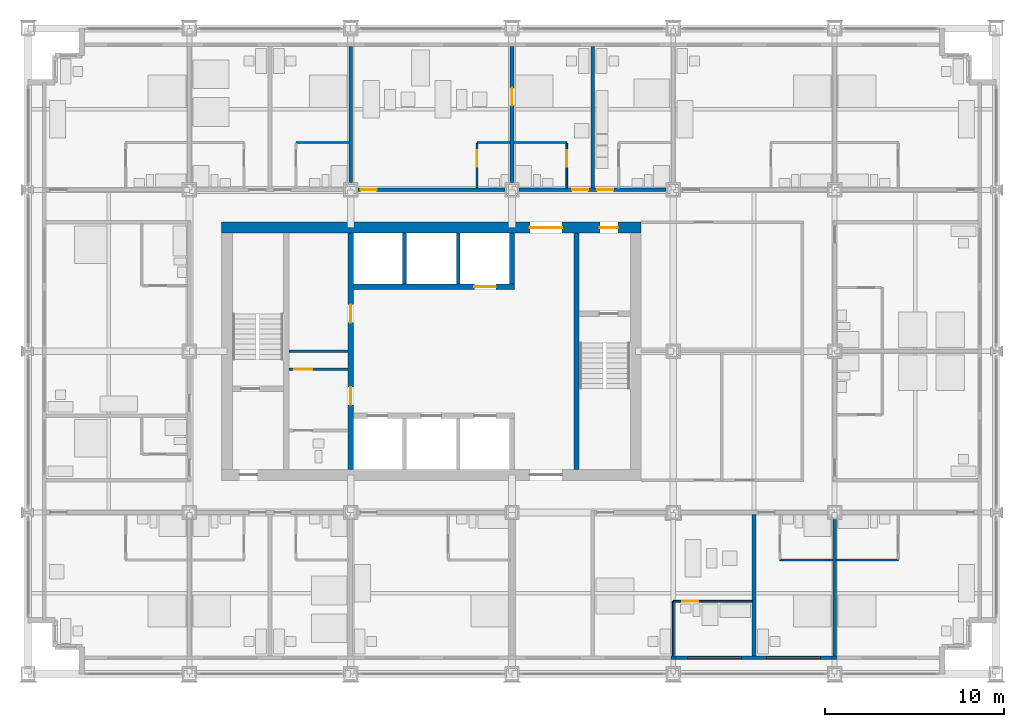
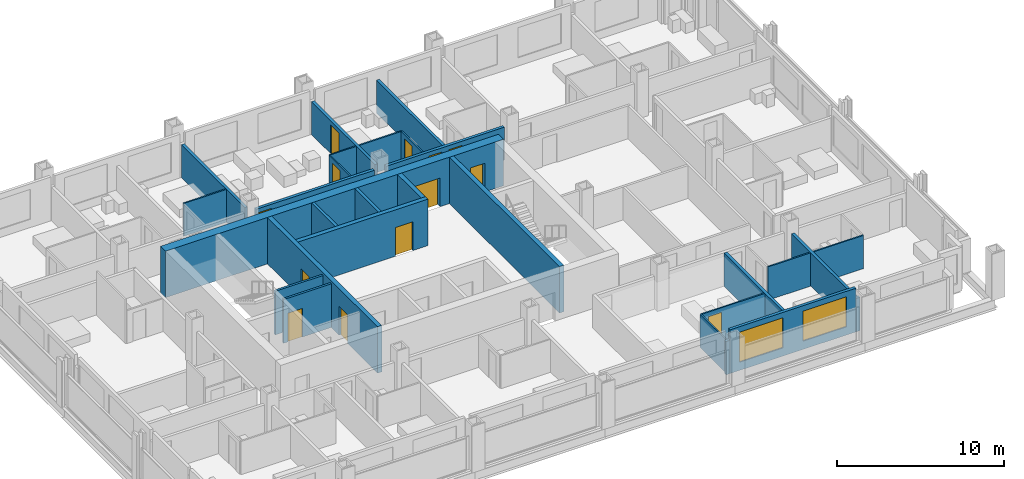
# One storey, part 12 of 18: 28 walls, 13 doors, 2 windows, 15 openings.
"""IFC4 building model written with IfcOpenShell, lengths in metres."""

from ifc_helpers import new_model, si_unit, direction, frame, frame_2d, origin, place, context, subcontext, project, spatial, rectangle, extrude, material, layer, layer_set, type_object, element, fill, save


model = new_model("IFC4")

# Units and contexts
model_context = context("Model", 3, precision=1e-05, world=origin(), true_north=direction((0.0, 1.0)))
body_context = subcontext(model_context, "Body", "Model", "MODEL_VIEW")
ifc_project = project(units=[si_unit("LENGTHUNIT", "METRE"), si_unit("AREAUNIT", "SQUARE_METRE"), si_unit("VOLUMEUNIT", "CUBIC_METRE"), si_unit("PLANEANGLEUNIT", "RADIAN"), si_unit("MASSUNIT", "GRAM", prefix="KILO")], contexts=[model_context])

# Site, building, storey
site_placement = place(None, origin())
site = spatial("IfcSite", under=ifc_project, at=site_placement, CompositionType="ELEMENT")
building_placement = place(site_placement, origin())
building = spatial("IfcBuilding", under=site, at=building_placement, Name="Loomwork Tower", CompositionType="ELEMENT")
storey_placement = place(building_placement, frame((0.0, 0.0, 38.199951171875)))
storey = spatial("IfcBuildingStorey", under=building, at=storey_placement, Name="L08", CompositionType="ELEMENT", Elevation=38.199951171875)

# Wall, openings, doors
ifc_material_1 = material(Name="Concrete 14000 psi (97 MPa)", Category="concrete")
ifc_layer_1 = layer(ifc_material_1, 0.300048828125)
ifc_layer_set_1 = layer_set([ifc_layer_1], Name="Core shear wall 300")
wall_type_1 = type_object("IfcWallType", Name="Core shear wall 300", PredefinedType="SHEAR", material=ifc_layer_set_1)
wall_1_placement = place(storey_placement, frame((18.0, 11.39990234375, 0.0), z_axis=(0.0, 0.0, 1.0), x_axis=(0.0, 1.0, 0.0)))
wall_1 = element("IfcWall", 1, at=wall_1_placement, inside=storey, type_object=wall_type_1, Name="Lobby west wall L08", PredefinedType="SHEAR", context=body_context, shape_type="SweptSolid", body=[
    extrude(rectangle(XDim=13.2001953125, YDim=0.300048828125, at=frame_2d((6.60009765625, 0.0))), origin(), (0.0, 0.0, 1.0), 3.400146484375),
])
opening_1_placement = place(wall_1_placement, frame((3.60009765625, 0.0, 0.0)))
opening_1 = element("IfcOpeningElement", 2, at=opening_1_placement, cuts=wall_1, Name="Opening D5", PredefinedType="OPENING", context=body_context, shape_type="SweptSolid", body=[
    extrude(rectangle(XDim=1.0, YDim=2.10009765625, at=frame_2d((0.5, 1.050048828125))), frame((0.0, 0.159912109375, 0.0), z_axis=(0.0, -1.0, 0.0), x_axis=(1.0, 0.0, 0.0)), (0.0, 0.0, 1.0), 0.320068359375),
])
opening_2_placement = place(wall_1_placement, frame((8.199951171875, 0.0, 0.0)))
opening_2 = element("IfcOpeningElement", 3, at=opening_2_placement, cuts=wall_1, Name="Opening D5", PredefinedType="OPENING", context=body_context, shape_type="SweptSolid", body=[
    extrude(rectangle(XDim=1.0, YDim=2.10009765625, at=frame_2d((0.5, 1.050048828125))), frame((0.0, 0.159912109375, 0.0), z_axis=(0.0, -1.0, 0.0), x_axis=(1.0, 0.0, 0.0)), (0.0, 0.0, 1.0), 0.320068359375),
])
ifc_material_2 = material(Name="Hollow metal door and frame")
door_type_1 = type_object("IfcDoorType", Name="Service door 1000", OperationType="SINGLE_SWING_LEFT", PredefinedType="DOOR", material=ifc_material_2)
door_1_placement = place(opening_1_placement, origin())
door_1 = element("IfcDoor", 4, at=door_1_placement, inside=storey, type_object=door_type_1, Name="Back-of-house door south", OperationType="SINGLE_SWING_LEFT", OverallHeight=2.10009765625, OverallWidth=1.0, PredefinedType="DOOR", context=body_context, shape_type="SweptSolid", body=[
    extrude(rectangle(XDim=1.0, YDim=2.10009765625, at=frame_2d((0.5, 1.050048828125))), frame((0.0, 0.02490234375, 0.0), z_axis=(0.0, -1.0, 0.0), x_axis=(1.0, 0.0, 0.0)), (0.0, 0.0, 1.0), 0.050048828125),
])
fill(opening_1, door_1)
door_2_placement = place(opening_2_placement, origin())
door_2 = element("IfcDoor", 5, at=door_2_placement, inside=storey, type_object=door_type_1, Name="Back-of-house door north", OperationType="SINGLE_SWING_RIGHT", OverallHeight=2.10009765625, OverallWidth=1.0, PredefinedType="DOOR", context=body_context, shape_type="SweptSolid", body=[
    extrude(rectangle(XDim=1.0, YDim=2.10009765625, at=frame_2d((0.5, 1.050048828125))), frame((0.0, 0.02490234375, 0.0), z_axis=(0.0, -1.0, 0.0), x_axis=(1.0, 0.0, 0.0)), (0.0, 0.0, 1.0), 0.050048828125),
])
fill(opening_2, door_2)

# Wall, opening, door
wall_2_placement = place(storey_placement, frame((18.14990234375, 21.60009765625, 0.0), z_axis=(0.0, 0.0, 1.0), x_axis=(1.0, 0.0, 0.0)))
wall_2 = element("IfcWall", 6, at=wall_2_placement, inside=storey, type_object=wall_type_1, Name="Lift front wall north L08", PredefinedType="SHEAR", context=body_context, shape_type="SweptSolid", body=[
    extrude(rectangle(XDim=9.0, YDim=0.300048828125, at=frame_2d((4.5, 0.0))), origin(), (0.0, 0.0, 1.0), 3.400146484375),
])
opening_3_placement = place(wall_2_placement, frame((6.75, 0.0, 0.0)))
opening_3 = element("IfcOpeningElement", 7, at=opening_3_placement, cuts=wall_2, Name="Opening LD2", PredefinedType="OPENING", context=body_context, shape_type="SweptSolid", body=[
    extrude(rectangle(XDim=1.199951171875, YDim=2.10009765625, at=frame_2d((0.60009765625, 1.050048828125))), frame((0.0, 0.159912109375, 0.0), z_axis=(0.0, -1.0, 0.0), x_axis=(1.0, 0.0, 0.0)), (0.0, 0.0, 1.0), 0.320068359375),
])
ifc_material_3 = material(Name="Hollow metal door and frame")
door_type_2 = type_object("IfcDoorType", Name="Lift landing door 1200", OperationType="SLIDING_TO_LEFT", PredefinedType="DOOR", material=ifc_material_3)
door_3_placement = place(opening_3_placement, origin())
door_3 = element("IfcDoor", 8, at=door_3_placement, inside=storey, type_object=door_type_2, Name="Lift landing door LF2", OperationType="SLIDING_TO_LEFT", OverallHeight=2.10009765625, OverallWidth=1.199951171875, PredefinedType="DOOR", context=body_context, shape_type="SweptSolid", body=[
    extrude(rectangle(XDim=1.199951171875, YDim=2.10009765625, at=frame_2d((0.60009765625, 1.050048828125))), frame((0.0, 0.02490234375, 0.0), z_axis=(0.0, -1.0, 0.0), x_axis=(1.0, 0.0, 0.0)), (0.0, 0.0, 1.0), 0.050048828125),
])
fill(opening_3, door_3)

# Walls
wall_3_placement = place(storey_placement, frame((27.0, 21.75, 0.0), z_axis=(0.0, 0.0, 1.0), x_axis=(0.0, 1.0, 0.0)))
element("IfcWall", 9, at=wall_3_placement, inside=storey, type_object=wall_type_1, Name="Lift shaft end wall north L08", PredefinedType="SHEAR", context=body_context, shape_type="SweptSolid", body=[
    extrude(rectangle(XDim=2.85009765625, YDim=0.300048828125, at=frame_2d((1.425048828125, 0.0))), origin(), (0.0, 0.0, 1.0), 3.400146484375),
])
wall_4_placement = place(storey_placement, frame((30.60009765625, 11.39990234375, 0.0), z_axis=(0.0, 0.0, 1.0), x_axis=(0.0, 1.0, 0.0)))
element("IfcWall", 10, at=wall_4_placement, inside=storey, type_object=wall_type_1, Name="Stair B west wall L08", PredefinedType="SHEAR", context=body_context, shape_type="SweptSolid", body=[
    extrude(rectangle(XDim=13.2001953125, YDim=0.300048828125, at=frame_2d((6.60009765625, 0.0))), origin(), (0.0, 0.0, 1.0), 3.400146484375),
])

# Wall, openings, doors
ifc_material_4 = material(Name="Concrete 14000 psi (97 MPa)", Category="concrete")
ifc_layer_2 = layer(ifc_material_4, 0.60009765625)
ifc_layer_set_2 = layer_set([ifc_layer_2], Name="Core shear wall 600")
wall_type_2 = type_object("IfcWallType", Name="Core shear wall 600", PredefinedType="SHEAR", material=ifc_layer_set_2)
wall_5_placement = place(storey_placement, frame((10.800048828125, 24.89990234375, 0.0), z_axis=(0.0, 0.0, 1.0), x_axis=(1.0, 0.0, 0.0)))
wall_5 = element("IfcWall", 11, at=wall_5_placement, inside=storey, type_object=wall_type_2, Name="Core wall north L08", PredefinedType="SHEAR", context=body_context, shape_type="SweptSolid", body=[
    extrude(rectangle(XDim=23.39990234375, YDim=0.60009765625, at=frame_2d((11.699951171875, 0.0))), origin(), (0.0, 0.0, 1.0), 3.400146484375),
])
opening_4_placement = place(wall_5_placement, frame((17.199951171875, 0.0, 0.0)))
opening_4 = element("IfcOpeningElement", 12, at=opening_4_placement, cuts=wall_5, Name="Opening D6", PredefinedType="OPENING", context=body_context, shape_type="SweptSolid", body=[
    extrude(rectangle(XDim=1.800048828125, YDim=2.10009765625, at=frame_2d((0.89990234375, 1.050048828125))), frame((0.0, 0.31005859375, 0.0), z_axis=(0.0, -1.0, 0.0), x_axis=(1.0, 0.0, 0.0)), (0.0, 0.0, 1.0), 0.6201171875),
])
opening_5_placement = place(wall_5_placement, frame((21.10009765625, 0.0, 0.0)))
opening_5 = element("IfcOpeningElement", 13, at=opening_5_placement, cuts=wall_5, Name="Opening D4", PredefinedType="OPENING", context=body_context, shape_type="SweptSolid", body=[
    extrude(rectangle(XDim=1.0, YDim=2.10009765625, at=frame_2d((0.5, 1.050048828125))), frame((0.0, 0.31005859375, 0.0), z_axis=(0.0, -1.0, 0.0), x_axis=(1.0, 0.0, 0.0)), (0.0, 0.0, 1.0), 0.6201171875),
])
ifc_material_5 = material(Name="Hollow metal door and frame")
door_type_3 = type_object("IfcDoorType", Name="Lobby passage double door 1800", OperationType="DOUBLE_DOOR_SINGLE_SWING", PredefinedType="DOOR", material=ifc_material_5)
door_4_placement = place(opening_4_placement, frame((1.800048828125, 0.0, 0.0), z_axis=(0.0, 0.0, 1.0), x_axis=(-1.0, 0.0, 0.0)))
door_4 = element("IfcDoor", 14, at=door_4_placement, inside=storey, type_object=door_type_3, Name="Lobby passage door north", OperationType="DOUBLE_DOOR_SINGLE_SWING", OverallHeight=2.10009765625, OverallWidth=1.800048828125, PredefinedType="DOOR", context=body_context, shape_type="SweptSolid", body=[
    extrude(rectangle(XDim=1.800048828125, YDim=2.10009765625, at=frame_2d((0.89990234375, 1.050048828125))), frame((0.0, 0.02490234375, 0.0), z_axis=(0.0, -1.0, 0.0), x_axis=(1.0, 0.0, 0.0)), (0.0, 0.0, 1.0), 0.050048828125),
])
fill(opening_4, door_4)
ifc_material_6 = material(Name="Hollow metal door and frame")
door_type_4 = type_object("IfcDoorType", Name="Stair door 1000", OperationType="SINGLE_SWING_RIGHT", PredefinedType="DOOR", material=ifc_material_6)
door_5_placement = place(opening_5_placement, frame((1.0, 0.0, 0.0), z_axis=(0.0, 0.0, 1.0), x_axis=(-1.0, 0.0, 0.0)))
door_5 = element("IfcDoor", 15, at=door_5_placement, inside=storey, type_object=door_type_4, Name="Stair B vestibule door", OperationType="SINGLE_SWING_LEFT", OverallHeight=2.10009765625, OverallWidth=1.0, PredefinedType="DOOR", context=body_context, shape_type="SweptSolid", body=[
    extrude(rectangle(XDim=1.0, YDim=2.10009765625, at=frame_2d((0.5, 1.050048828125))), frame((0.0, 0.02490234375, 0.0), z_axis=(0.0, -1.0, 0.0), x_axis=(1.0, 0.0, 0.0)), (0.0, 0.0, 1.0), 0.050048828125),
])
fill(opening_5, door_5)

# Wall, opening, door
ifc_material_7 = material(Name="Gypsum board on steel studs, one-hour", Category="steel")
ifc_layer_3 = layer(ifc_material_7, 0.199951171875)
ifc_layer_set_3 = layer_set([ifc_layer_3], Name="Corridor wall 200")
wall_type_3 = type_object("IfcWallType", Name="Corridor wall 200", PredefinedType="PARTITIONING", material=ifc_layer_set_3)
wall_6_placement = place(storey_placement, frame((18.39990234375, 27.0, 0.0), z_axis=(0.0, 0.0, 1.0), x_axis=(1.0, 0.0, 0.0)))
wall_6 = element("IfcWall", 16, at=wall_6_placement, inside=storey, type_object=wall_type_3, Name="North corridor wall 3", PredefinedType="PARTITIONING", context=body_context, shape_type="SweptSolid", body=[
    extrude(rectangle(XDim=8.2001953125, YDim=0.199951171875, at=frame_2d((4.10009765625, 0.0))), origin(), (0.0, 0.0, 1.0), 2.405029296875),
])
opening_6_placement = place(wall_6_placement, frame((0.14990234375, 0.0, 0.0)))
opening_6 = element("IfcOpeningElement", 17, at=opening_6_placement, cuts=wall_6, Name="Opening D1", PredefinedType="OPENING", context=body_context, shape_type="SweptSolid", body=[
    extrude(rectangle(XDim=0.89990234375, YDim=2.10009765625, at=frame_2d((0.449951171875, 1.050048828125))), frame((0.0, 0.10986328125, 0.0), z_axis=(0.0, -1.0, 0.0), x_axis=(1.0, 0.0, 0.0)), (0.0, 0.0, 1.0), 0.219970703125),
])
ifc_material_8 = material(Name="Hollow metal door and frame")
door_type_5 = type_object("IfcDoorType", Name="Guest room entry door 900", OperationType="SINGLE_SWING_LEFT", PredefinedType="DOOR", material=ifc_material_8)
door_6_placement = place(opening_6_placement, origin())
door_6 = element("IfcDoor", 18, at=door_6_placement, inside=storey, type_object=door_type_5, Name="Guest room entry door L08 11", OperationType="SINGLE_SWING_LEFT", OverallHeight=2.10009765625, OverallWidth=0.89990234375, PredefinedType="DOOR", context=body_context, shape_type="SweptSolid", body=[
    extrude(rectangle(XDim=0.89990234375, YDim=2.10009765625, at=frame_2d((0.449951171875, 1.050048828125))), frame((0.0, 0.02490234375, 0.0), z_axis=(0.0, -1.0, 0.0), x_axis=(1.0, 0.0, 0.0)), (0.0, 0.0, 1.0), 0.050048828125),
])
fill(opening_6, door_6)

# Wall, openings, doors
wall_7_placement = place(storey_placement, frame((27.39990234375, 27.0, 0.0), z_axis=(0.0, 0.0, 1.0), x_axis=(1.0, 0.0, 0.0)))
wall_7 = element("IfcWall", 19, at=wall_7_placement, inside=storey, type_object=wall_type_3, Name="North corridor wall 4", PredefinedType="PARTITIONING", context=body_context, shape_type="SweptSolid", body=[
    extrude(rectangle(XDim=8.2001953125, YDim=0.199951171875, at=frame_2d((4.10009765625, 0.0))), origin(), (0.0, 0.0, 1.0), 2.405029296875),
])
opening_7_placement = place(wall_7_placement, frame((2.949951171875, 0.0, 0.0)))
opening_7 = element("IfcOpeningElement", 20, at=opening_7_placement, cuts=wall_7, Name="Opening D1", PredefinedType="OPENING", context=body_context, shape_type="SweptSolid", body=[
    extrude(rectangle(XDim=0.89990234375, YDim=2.10009765625, at=frame_2d((0.449951171875, 1.050048828125))), frame((0.0, 0.10986328125, 0.0), z_axis=(0.0, -1.0, 0.0), x_axis=(1.0, 0.0, 0.0)), (0.0, 0.0, 1.0), 0.219970703125),
])
opening_8_placement = place(wall_7_placement, frame((4.35009765625, 0.0, 0.0)))
opening_8 = element("IfcOpeningElement", 21, at=opening_8_placement, cuts=wall_7, Name="Opening D1", PredefinedType="OPENING", context=body_context, shape_type="SweptSolid", body=[
    extrude(rectangle(XDim=0.89990234375, YDim=2.10009765625, at=frame_2d((0.449951171875, 1.050048828125))), frame((0.0, 0.10986328125, 0.0), z_axis=(0.0, -1.0, 0.0), x_axis=(1.0, 0.0, 0.0)), (0.0, 0.0, 1.0), 0.219970703125),
])
door_7_placement = place(opening_7_placement, origin())
door_7 = element("IfcDoor", 22, at=door_7_placement, inside=storey, type_object=door_type_5, Name="Guest room entry door L08 12", OperationType="SINGLE_SWING_RIGHT", OverallHeight=2.10009765625, OverallWidth=0.89990234375, PredefinedType="DOOR", context=body_context, shape_type="SweptSolid", body=[
    extrude(rectangle(XDim=0.89990234375, YDim=2.10009765625, at=frame_2d((0.449951171875, 1.050048828125))), frame((0.0, 0.02490234375, 0.0), z_axis=(0.0, -1.0, 0.0), x_axis=(1.0, 0.0, 0.0)), (0.0, 0.0, 1.0), 0.050048828125),
])
fill(opening_7, door_7)
door_8_placement = place(opening_8_placement, origin())
door_8 = element("IfcDoor", 23, at=door_8_placement, inside=storey, type_object=door_type_5, Name="Guest room entry door L08 13", OperationType="SINGLE_SWING_LEFT", OverallHeight=2.10009765625, OverallWidth=0.89990234375, PredefinedType="DOOR", context=body_context, shape_type="SweptSolid", body=[
    extrude(rectangle(XDim=0.89990234375, YDim=2.10009765625, at=frame_2d((0.449951171875, 1.050048828125))), frame((0.0, 0.02490234375, 0.0), z_axis=(0.0, -1.0, 0.0), x_axis=(1.0, 0.0, 0.0)), (0.0, 0.0, 1.0), 0.050048828125),
])
fill(opening_8, door_8)

# Wall, opening, door
ifc_material_9 = material(Name="Cement board on steel studs", Category="steel")
ifc_layer_4 = layer(ifc_material_9, 0.10009765625)
ifc_layer_set_4 = layer_set([ifc_layer_4], Name="En-suite partition 100")
wall_type_4 = type_object("IfcWallType", Name="En-suite partition 100", PredefinedType="PARTITIONING", material=ifc_layer_set_4)
wall_8_placement = place(storey_placement, frame((36.0, 4.050048828125, 0.0), z_axis=(0.0, 0.0, 1.0), x_axis=(1.0, 0.0, 0.0)))
wall_8 = element("IfcWall", 24, at=wall_8_placement, inside=storey, type_object=wall_type_4, Name="Spa bathroom wall L08 room 5", PredefinedType="PARTITIONING", context=body_context, shape_type="SweptSolid", body=[
    extrude(rectangle(XDim=4.39990234375, YDim=0.10009765625, at=frame_2d((2.199951171875, 0.0))), origin(), (0.0, 0.0, 1.0), 2.43798828125),
])
opening_9_placement = place(wall_8_placement, frame((0.5, 0.0, 0.0)))
opening_9 = element("IfcOpeningElement", 25, at=opening_9_placement, cuts=wall_8, Name="Opening D2", PredefinedType="OPENING", context=body_context, shape_type="SweptSolid", body=[
    extrude(rectangle(XDim=0.89990234375, YDim=2.10009765625, at=frame_2d((0.449951171875, 1.050048828125))), frame((0.0, 0.06005859375, 0.0), z_axis=(0.0, -1.0, 0.0), x_axis=(1.0, 0.0, 0.0)), (0.0, 0.0, 1.0), 0.1201171875),
])
ifc_material_10 = material(Name="Hollow metal door and frame")
door_type_6 = type_object("IfcDoorType", Name="En-suite door 900", OperationType="SINGLE_SWING_LEFT", PredefinedType="DOOR", material=ifc_material_10)
door_9_placement = place(opening_9_placement, frame((0.89990234375, 0.0, 0.0), z_axis=(0.0, 0.0, 1.0), x_axis=(-1.0, 0.0, 0.0)))
door_9 = element("IfcDoor", 26, at=door_9_placement, inside=storey, type_object=door_type_6, Name="Spa bathroom door room 5", OperationType="SINGLE_SWING_RIGHT", OverallHeight=2.10009765625, OverallWidth=0.89990234375, PredefinedType="DOOR", context=body_context, shape_type="SweptSolid", body=[
    extrude(rectangle(XDim=0.89990234375, YDim=2.10009765625, at=frame_2d((0.449951171875, 1.050048828125))), frame((0.0, 0.02490234375, 0.0), z_axis=(0.0, -1.0, 0.0), x_axis=(1.0, 0.0, 0.0)), (0.0, 0.0, 1.0), 0.050048828125),
])
fill(opening_9, door_9)

# Walls
wall_9_placement = place(storey_placement, frame((36.0, 4.050048828125, 0.0), z_axis=(0.0, 0.0, 1.0), x_axis=(0.0, -1.0, 0.0)))
element("IfcWall", 27, at=wall_9_placement, inside=storey, type_object=wall_type_4, Name="Spa bathroom side wall L08 room 5", PredefinedType="PARTITIONING", context=body_context, shape_type="SweptSolid", body=[
    extrude(rectangle(XDim=3.050048828125, YDim=0.10009765625, at=frame_2d((1.52490234375, 0.0))), origin(), (0.0, 0.0, 1.0), 2.43798828125),
])
wall_10_placement = place(storey_placement, frame((41.949951171875, 6.35009765625, 0.0), z_axis=(0.0, 0.0, 1.0), x_axis=(1.0, 0.0, 0.0)))
element("IfcWall", 28, at=wall_10_placement, inside=storey, type_object=wall_type_4, Name="En-suite wall L08 room 6", PredefinedType="PARTITIONING", context=body_context, shape_type="SweptSolid", body=[
    extrude(rectangle(XDim=2.949951171875, YDim=0.10009765625, at=frame_2d((1.47509765625, 0.0))), origin(), (0.0, 0.0, 1.0), 2.43798828125),
])
wall_11_placement = place(storey_placement, frame((45.10009765625, 6.35009765625, 0.0), z_axis=(0.0, 0.0, 1.0), x_axis=(1.0, 0.0, 0.0)))
element("IfcWall", 29, at=wall_11_placement, inside=storey, type_object=wall_type_4, Name="En-suite wall L08 room 7", PredefinedType="PARTITIONING", context=body_context, shape_type="SweptSolid", body=[
    extrude(rectangle(XDim=3.449951171875, YDim=0.10009765625, at=frame_2d((1.72509765625, 0.0))), origin(), (0.0, 0.0, 1.0), 2.43798828125),
])
wall_12_placement = place(storey_placement, frame((14.949951171875, 29.64990234375, 0.0), z_axis=(0.0, 0.0, 1.0), x_axis=(1.0, 0.0, 0.0)))
element("IfcWall", 30, at=wall_12_placement, inside=storey, type_object=wall_type_4, Name="En-suite wall L08 room 10", PredefinedType="PARTITIONING", context=body_context, shape_type="SweptSolid", body=[
    extrude(rectangle(XDim=2.949951171875, YDim=0.10009765625, at=frame_2d((1.47509765625, 0.0))), origin(), (0.0, 0.0, 1.0), 2.404052734375),
])
wall_13_placement = place(storey_placement, frame((25.050048828125, 29.64990234375, 0.0), z_axis=(0.0, 0.0, 1.0), x_axis=(1.0, 0.0, 0.0)))
element("IfcWall", 31, at=wall_13_placement, inside=storey, type_object=wall_type_4, Name="En-suite wall L08 room 11", PredefinedType="PARTITIONING", context=body_context, shape_type="SweptSolid", body=[
    extrude(rectangle(XDim=1.849853515625, YDim=0.10009765625, at=frame_2d((0.9248046875, 0.0))), origin(), (0.0, 0.0, 1.0), 2.404052734375),
])

# Wall, opening, door
wall_14_placement = place(storey_placement, frame((25.050048828125, 27.10009765625, 0.0), z_axis=(0.0, 0.0, 1.0), x_axis=(0.0, 1.0, 0.0)))
wall_14 = element("IfcWall", 32, at=wall_14_placement, inside=storey, type_object=wall_type_4, Name="En-suite side wall L08 room 11", PredefinedType="PARTITIONING", context=body_context, shape_type="SweptSolid", body=[
    extrude(rectangle(XDim=2.5, YDim=0.10009765625, at=frame_2d((1.25, 0.0))), origin(), (0.0, 0.0, 1.0), 2.404052734375),
])
opening_10_placement = place(wall_14_placement, frame((1.199951171875, 0.0, 0.0)))
opening_10 = element("IfcOpeningElement", 33, at=opening_10_placement, cuts=wall_14, Name="Opening D2", PredefinedType="OPENING", context=body_context, shape_type="SweptSolid", body=[
    extrude(rectangle(XDim=0.89990234375, YDim=2.10009765625, at=frame_2d((0.449951171875, 1.050048828125))), frame((0.0, 0.06005859375, 0.0), z_axis=(0.0, -1.0, 0.0), x_axis=(1.0, 0.0, 0.0)), (0.0, 0.0, 1.0), 0.1201171875),
])
door_10_placement = place(opening_10_placement, frame((0.89990234375, 0.0, 0.0), z_axis=(0.0, 0.0, 1.0), x_axis=(-1.0, 0.0, 0.0)))
door_10 = element("IfcDoor", 34, at=door_10_placement, inside=storey, type_object=door_type_6, Name="Suite powder room door room 11", OperationType="SINGLE_SWING_LEFT", OverallHeight=2.10009765625, OverallWidth=0.89990234375, PredefinedType="DOOR", context=body_context, shape_type="SweptSolid", body=[
    extrude(rectangle(XDim=0.89990234375, YDim=2.10009765625, at=frame_2d((0.449951171875, 1.050048828125))), frame((0.0, 0.02490234375, 0.0), z_axis=(0.0, -1.0, 0.0), x_axis=(1.0, 0.0, 0.0)), (0.0, 0.0, 1.0), 0.050048828125),
])
fill(opening_10, door_10)

# Wall
wall_15_placement = place(storey_placement, frame((27.10009765625, 29.64990234375, 0.0), z_axis=(0.0, 0.0, 1.0), x_axis=(1.0, 0.0, 0.0)))
element("IfcWall", 35, at=wall_15_placement, inside=storey, type_object=wall_type_4, Name="En-suite wall L08 room 12", PredefinedType="PARTITIONING", context=body_context, shape_type="SweptSolid", body=[
    extrude(rectangle(XDim=2.949951171875, YDim=0.10009765625, at=frame_2d((1.47509765625, 0.0))), origin(), (0.0, 0.0, 1.0), 2.404052734375),
])

# Wall, opening, door
wall_16_placement = place(storey_placement, frame((30.050048828125, 27.10009765625, 0.0), z_axis=(0.0, 0.0, 1.0), x_axis=(0.0, 1.0, 0.0)))
wall_16 = element("IfcWall", 36, at=wall_16_placement, inside=storey, type_object=wall_type_4, Name="En-suite side wall L08 room 12", PredefinedType="PARTITIONING", context=body_context, shape_type="SweptSolid", body=[
    extrude(rectangle(XDim=2.5, YDim=0.10009765625, at=frame_2d((1.25, 0.0))), origin(), (0.0, 0.0, 1.0), 2.404052734375),
])
opening_11_placement = place(wall_16_placement, frame((1.199951171875, 0.0, 0.0)))
opening_11 = element("IfcOpeningElement", 37, at=opening_11_placement, cuts=wall_16, Name="Opening D2", PredefinedType="OPENING", context=body_context, shape_type="SweptSolid", body=[
    extrude(rectangle(XDim=0.89990234375, YDim=2.10009765625, at=frame_2d((0.449951171875, 1.050048828125))), frame((0.0, 0.06005859375, 0.0), z_axis=(0.0, -1.0, 0.0), x_axis=(1.0, 0.0, 0.0)), (0.0, 0.0, 1.0), 0.1201171875),
])
door_11_placement = place(opening_11_placement, origin())
door_11 = element("IfcDoor", 38, at=door_11_placement, inside=storey, type_object=door_type_6, Name="En-suite door room 12", OperationType="SINGLE_SWING_RIGHT", OverallHeight=2.10009765625, OverallWidth=0.89990234375, PredefinedType="DOOR", context=body_context, shape_type="SweptSolid", body=[
    extrude(rectangle(XDim=0.89990234375, YDim=2.10009765625, at=frame_2d((0.449951171875, 1.050048828125))), frame((0.0, 0.02490234375, 0.0), z_axis=(0.0, -1.0, 0.0), x_axis=(1.0, 0.0, 0.0)), (0.0, 0.0, 1.0), 0.050048828125),
])
fill(opening_11, door_11)

# Walls
ifc_material_11 = material(Name="Gypsum board on steel studs, acoustic", Category="steel")
ifc_layer_5 = layer(ifc_material_11, 0.199951171875)
ifc_layer_set_5 = layer_set([ifc_layer_5], Name="Guest room party wall 200")
wall_type_5 = type_object("IfcWallType", Name="Guest room party wall 200", PredefinedType="PARTITIONING", material=ifc_layer_set_5)
wall_17_placement = place(storey_placement, frame((40.5, 8.89990234375, 0.0), z_axis=(0.0, 0.0, 1.0), x_axis=(0.0, -1.0, 0.0)))
element("IfcWall", 39, at=wall_17_placement, inside=storey, type_object=wall_type_5, Name="Guest room party wall S 40.5", PredefinedType="PARTITIONING", context=body_context, shape_type="SweptSolid", body=[
    extrude(rectangle(XDim=7.89990234375, YDim=0.199951171875, at=frame_2d((3.949951171875, 0.0))), origin(), (0.0, 0.0, 1.0), 2.43798828125),
])
wall_18_placement = place(storey_placement, frame((45.0, 8.60009765625, 0.0), z_axis=(0.0, 0.0, 1.0), x_axis=(0.0, -1.0, 0.0)))
element("IfcWall", 40, at=wall_18_placement, inside=storey, type_object=wall_type_5, Name="Guest room party wall S 45", PredefinedType="PARTITIONING", context=body_context, shape_type="SweptSolid", body=[
    extrude(rectangle(XDim=7.60009765625, YDim=0.199951171875, at=frame_2d((3.800048828125, 0.0))), origin(), (0.0, 0.0, 1.0), 2.43798828125),
])
wall_19_placement = place(storey_placement, frame((18.0, 27.39990234375, 0.0), z_axis=(0.0, 0.0, 1.0), x_axis=(0.0, 1.0, 0.0)))
element("IfcWall", 41, at=wall_19_placement, inside=storey, type_object=wall_type_5, Name="Guest room party wall N 18", PredefinedType="PARTITIONING", context=body_context, shape_type="SweptSolid", body=[
    extrude(rectangle(XDim=7.60009765625, YDim=0.199951171875, at=frame_2d((3.800048828125, 0.0))), origin(), (0.0, 0.0, 1.0), 2.405029296875),
])

# Wall, opening, door
wall_20_placement = place(storey_placement, frame((27.0, 27.39990234375, 0.0), z_axis=(0.0, 0.0, 1.0), x_axis=(0.0, 1.0, 0.0)))
wall_20 = element("IfcWall", 42, at=wall_20_placement, inside=storey, type_object=wall_type_5, Name="Guest room party wall N 27", PredefinedType="PARTITIONING", context=body_context, shape_type="SweptSolid", body=[
    extrude(rectangle(XDim=7.60009765625, YDim=0.199951171875, at=frame_2d((3.800048828125, 0.0))), origin(), (0.0, 0.0, 1.0), 2.405029296875),
])
opening_12_placement = place(wall_20_placement, frame((4.300048828125, 0.0, 0.0)))
opening_12 = element("IfcOpeningElement", 43, at=opening_12_placement, cuts=wall_20, Name="Opening D7", PredefinedType="OPENING", context=body_context, shape_type="SweptSolid", body=[
    extrude(rectangle(XDim=1.0, YDim=2.10009765625, at=frame_2d((0.5, 1.050048828125))), frame((0.0, 0.10986328125, 0.0), z_axis=(0.0, -1.0, 0.0), x_axis=(1.0, 0.0, 0.0)), (0.0, 0.0, 1.0), 0.219970703125),
])
ifc_material_12 = material(Name="Hollow metal door and frame")
door_type_7 = type_object("IfcDoorType", Name="Room door 1000", OperationType="SINGLE_SWING_LEFT", PredefinedType="DOOR", material=ifc_material_12)
door_12_placement = place(opening_12_placement, frame((1.0, 0.0, 0.0), z_axis=(0.0, 0.0, 1.0), x_axis=(-1.0, 0.0, 0.0)))
door_12 = element("IfcDoor", 44, at=door_12_placement, inside=storey, type_object=door_type_7, Name="Suite connecting door L08 N 27", OperationType="SINGLE_SWING_RIGHT", OverallHeight=2.10009765625, OverallWidth=1.0, PredefinedType="DOOR", context=body_context, shape_type="SweptSolid", body=[
    extrude(rectangle(XDim=1.0, YDim=2.10009765625, at=frame_2d((0.5, 1.050048828125))), frame((0.0, 0.02490234375, 0.0), z_axis=(0.0, -1.0, 0.0), x_axis=(1.0, 0.0, 0.0)), (0.0, 0.0, 1.0), 0.050048828125),
])
fill(opening_12, door_12)

# Walls
wall_21_placement = place(storey_placement, frame((31.5, 27.10009765625, 0.0), z_axis=(0.0, 0.0, 1.0), x_axis=(0.0, 1.0, 0.0)))
element("IfcWall", 45, at=wall_21_placement, inside=storey, type_object=wall_type_5, Name="Guest room party wall N 31.5", PredefinedType="PARTITIONING", context=body_context, shape_type="SweptSolid", body=[
    extrude(rectangle(XDim=7.89990234375, YDim=0.199951171875, at=frame_2d((3.949951171875, 0.0))), origin(), (0.0, 0.0, 1.0), 2.404052734375),
])
ifc_material_13 = material(Name="Insulated steel stud wall with gypsum lining", Category="steel")
ifc_layer_6 = layer(ifc_material_13, 0.199951171875)
ifc_layer_set_6 = layer_set([ifc_layer_6], Name="Inner skin wall 200")
wall_type_6 = type_object("IfcWallType", Name="Inner skin wall 200", PredefinedType="SOLIDWALL", material=ifc_layer_set_6)
wall_22_placement = place(storey_placement, frame((35.864501953125, 0.89990234375, 0.0), z_axis=(0.0, 0.0, 1.0), x_axis=(1.0, 0.0, 0.0)))
element("IfcWall", 46, at=wall_22_placement, inside=storey, type_object=wall_type_6, Name="Inner skin wall S bay 8", PredefinedType="SOLIDWALL", context=body_context, shape_type="SweptSolid", body=[
    extrude(rectangle(XDim=0.27099609375, YDim=0.199951171875, at=frame_2d((0.135498046875, 0.0))), origin(), (0.0, 0.0, 1.0), 2.43798828125),
])

# Wall, openings, windows
wall_23_placement = place(storey_placement, frame((36.135498046875, 0.89990234375, 0.0), z_axis=(0.0, 0.0, 1.0), x_axis=(1.0, 0.0, 0.0)))
wall_23 = element("IfcWall", 47, at=wall_23_placement, inside=storey, type_object=wall_type_6, Name="Inner skin wall S bay 9", PredefinedType="SOLIDWALL", context=body_context, shape_type="SweptSolid", body=[
    extrude(rectangle(XDim=8.72900390625, YDim=0.199951171875, at=frame_2d((4.364501953125, 0.0))), origin(), (0.0, 0.0, 1.0), 3.199951171875),
])
opening_13_placement = place(wall_23_placement, frame((0.66455078125, 0.0, 0.60009765625)))
opening_13 = element("IfcOpeningElement", 48, at=opening_13_placement, cuts=wall_23, Name="Opening CH1", PredefinedType="OPENING", context=body_context, shape_type="SweptSolid", body=[
    extrude(rectangle(XDim=3.0, YDim=2.199951171875, at=frame_2d((1.5, 1.10009765625))), frame((0.0, 0.10986328125, 0.0), z_axis=(0.0, -1.0, 0.0), x_axis=(1.0, 0.0, 0.0)), (0.0, 0.0, 1.0), 0.219970703125),
])
opening_14_placement = place(wall_23_placement, frame((5.064697265625, 0.0, 0.60009765625)))
opening_14 = element("IfcOpeningElement", 49, at=opening_14_placement, cuts=wall_23, Name="Opening CH1", PredefinedType="OPENING", context=body_context, shape_type="SweptSolid", body=[
    extrude(rectangle(XDim=3.0, YDim=2.199951171875, at=frame_2d((1.5, 1.10009765625))), frame((0.0, 0.10986328125, 0.0), z_axis=(0.0, -1.0, 0.0), x_axis=(1.0, 0.0, 0.0)), (0.0, 0.0, 1.0), 0.219970703125),
])
ifc_material_14 = material(Name="Aluminium frame with clear insulated glass", Category="aluminium")
window_type = type_object("IfcWindowType", Name="Chicago window 3000", PartitioningType="TRIPLE_PANEL_VERTICAL", PredefinedType="WINDOW", material=ifc_material_14)
window_1_placement = place(opening_13_placement, origin())
window_1 = element("IfcWindow", 50, at=window_1_placement, inside=storey, type_object=window_type, Name="Chicago window L08 bay 5", OverallHeight=2.199951171875, OverallWidth=3.0, PartitioningType="TRIPLE_PANEL_VERTICAL", PredefinedType="WINDOW", context=body_context, shape_type="SweptSolid", body=[
    extrude(rectangle(XDim=3.0, YDim=2.199951171875, at=frame_2d((1.5, 1.10009765625))), frame((0.0, 0.030029296875, 0.0), z_axis=(0.0, -1.0, 0.0), x_axis=(1.0, 0.0, 0.0)), (0.0, 0.0, 1.0), 0.06005859375),
])
fill(opening_13, window_1)
window_2_placement = place(opening_14_placement, origin())
window_2 = element("IfcWindow", 51, at=window_2_placement, inside=storey, type_object=window_type, Name="Chicago window L08 bay 5", OverallHeight=2.199951171875, OverallWidth=3.0, PartitioningType="TRIPLE_PANEL_VERTICAL", PredefinedType="WINDOW", context=body_context, shape_type="SweptSolid", body=[
    extrude(rectangle(XDim=3.0, YDim=2.199951171875, at=frame_2d((1.5, 1.10009765625))), frame((0.0, 0.030029296875, 0.0), z_axis=(0.0, -1.0, 0.0), x_axis=(1.0, 0.0, 0.0)), (0.0, 0.0, 1.0), 0.06005859375),
])
fill(opening_14, window_2)

# Walls
wall_24_placement = place(storey_placement, frame((44.864501953125, 0.89990234375, 0.0), z_axis=(0.0, 0.0, 1.0), x_axis=(1.0, 0.0, 0.0)))
element("IfcWall", 52, at=wall_24_placement, inside=storey, type_object=wall_type_6, Name="Inner skin wall S bay 10", PredefinedType="SOLIDWALL", context=body_context, shape_type="SweptSolid", body=[
    extrude(rectangle(XDim=0.27099609375, YDim=0.199951171875, at=frame_2d((0.135498046875, 0.0))), origin(), (0.0, 0.0, 1.0), 2.43798828125),
])
ifc_material_15 = material(Name="Concrete 14000 psi (97 MPa)", Category="concrete")
ifc_layer_7 = layer(ifc_material_15, 0.199951171875)
ifc_layer_set_7 = layer_set([ifc_layer_7], Name="Lift shaft wall 200")
wall_type_7 = type_object("IfcWallType", Name="Lift shaft wall 200", PredefinedType="SHEAR", material=ifc_layer_set_7)
for number, where, z_axis, x_axis, name in (
    (53, (21.0, 21.75, 0.0), (0.0, 0.0, 1.0), (0.0, 1.0, 0.0), "Lift shaft separation wall north 1 L08"),
    (54, (24.0, 21.75, 0.0), (0.0, 0.0, 1.0), (0.0, 1.0, 0.0), "Lift shaft separation wall north 2 L08"),
):
    element("IfcWall", number, at=place(storey_placement, frame(where, z_axis=z_axis, x_axis=x_axis)), inside=storey, type_object=wall_type_7, Name=name, PredefinedType="SHEAR", context=body_context, shape_type="SweptSolid", body=[
        extrude(rectangle(XDim=2.85009765625, YDim=0.199951171875, at=frame_2d((1.425048828125, 0.0))), origin(), (0.0, 0.0, 1.0), 3.400146484375),
    ])
ifc_material_16 = material(Name="Gypsum board on steel studs", Category="steel")
ifc_layer_8 = layer(ifc_material_16, 0.14990234375)
ifc_layer_set_8 = layer_set([ifc_layer_8], Name="Partition 150 two-hour")
wall_type_8 = type_object("IfcWallType", Name="Partition 150 two-hour", PredefinedType="PARTITIONING", material=ifc_layer_set_8)
wall_25_placement = place(storey_placement, frame((14.550048828125, 18.0, 0.0), z_axis=(0.0, 0.0, 1.0), x_axis=(1.0, 0.0, 0.0)))
element("IfcWall", 55, at=wall_25_placement, inside=storey, type_object=wall_type_8, Name="Back-of-house dividing wall L08", PredefinedType="PARTITIONING", context=body_context, shape_type="SweptSolid", body=[
    extrude(rectangle(XDim=3.300048828125, YDim=0.14990234375, at=frame_2d((1.64990234375, 0.0))), origin(), (0.0, 0.0, 1.0), 3.199951171875),
])

# Wall, opening, door
ifc_material_17 = material(Name="Gypsum board on steel studs, one-hour", Category="steel")
ifc_layer_9 = layer(ifc_material_17, 0.14990234375)
ifc_layer_set_9 = layer_set([ifc_layer_9], Name="Service partition 150")
wall_type_9 = type_object("IfcWallType", Name="Service partition 150", PredefinedType="PARTITIONING", material=ifc_layer_set_9)
wall_26_placement = place(storey_placement, frame((14.550048828125, 17.0, 0.0), z_axis=(0.0, 0.0, 1.0), x_axis=(1.0, 0.0, 0.0)))
wall_26 = element("IfcWall", 56, at=wall_26_placement, inside=storey, type_object=wall_type_9, Name="Riser enclosure L08", PredefinedType="PARTITIONING", context=body_context, shape_type="SweptSolid", body=[
    extrude(rectangle(XDim=3.300048828125, YDim=0.14990234375, at=frame_2d((1.64990234375, 0.0))), origin(), (0.0, 0.0, 1.0), 3.199951171875),
])
opening_15_placement = place(wall_26_placement, frame((0.300048828125, 0.0, 0.0)))
opening_15 = element("IfcOpeningElement", 57, at=opening_15_placement, cuts=wall_26, Name="Opening D18", PredefinedType="OPENING", context=body_context, shape_type="SweptSolid", body=[
    extrude(rectangle(XDim=1.0, YDim=2.10009765625, at=frame_2d((0.5, 1.050048828125))), frame((0.0, 0.0849609375, 0.0), z_axis=(0.0, -1.0, 0.0), x_axis=(1.0, 0.0, 0.0)), (0.0, 0.0, 1.0), 0.169921875),
])
ifc_material_18 = material(Name="Hollow metal door and frame")
door_type_8 = type_object("IfcDoorType", Name="Ninety-minute service door 1000", OperationType="SINGLE_SWING_LEFT", PredefinedType="DOOR", material=ifc_material_18)
door_13_placement = place(opening_15_placement, frame((1.0, 0.0, 0.0), z_axis=(0.0, 0.0, 1.0), x_axis=(-1.0, 0.0, 0.0)))
door_13 = element("IfcDoor", 58, at=door_13_placement, inside=storey, type_object=door_type_8, Name="Riser access door", OperationType="SINGLE_SWING_RIGHT", OverallHeight=2.10009765625, OverallWidth=1.0, PredefinedType="DOOR", context=body_context, shape_type="SweptSolid", body=[
    extrude(rectangle(XDim=1.0, YDim=2.10009765625, at=frame_2d((0.5, 1.050048828125))), frame((0.0, 0.02490234375, 0.0), z_axis=(0.0, -1.0, 0.0), x_axis=(1.0, 0.0, 0.0)), (0.0, 0.0, 1.0), 0.050048828125),
])
fill(opening_15, door_13)

save(model, "model.ifc")
